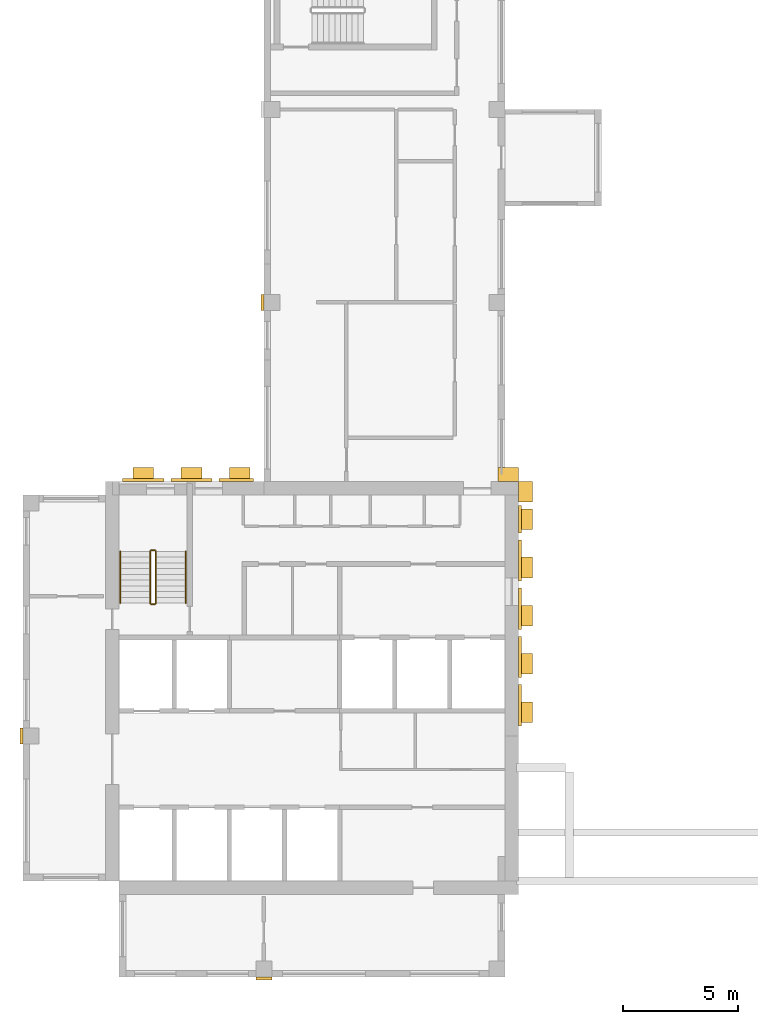
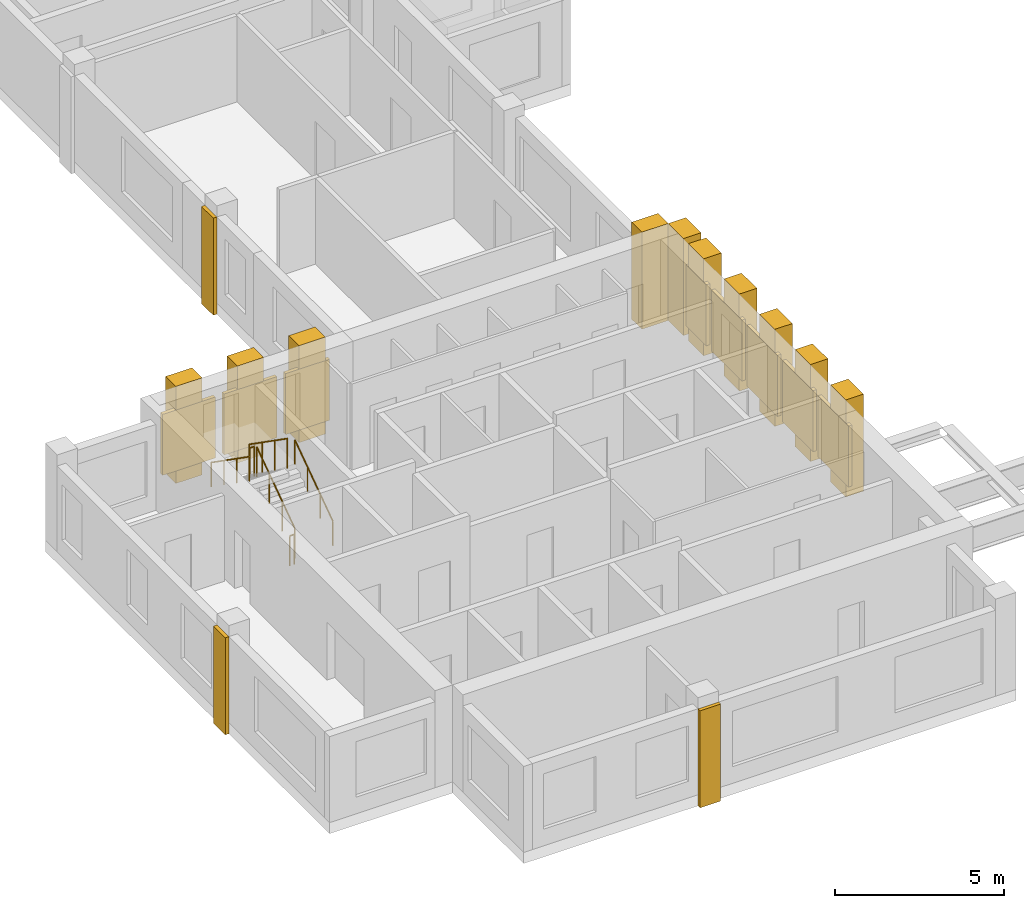
# One storey, part 6 of 8: 21 coverings, 6 railings.
"""IFC4 building model written with IfcOpenShell, lengths in metres."""

from ifc_helpers import new_model, si_unit, direction, frame, origin, origin_2d, place, context, subcontext, project, spatial, rectangle, circle, extrude, source, transform, mapped, material, type_object, element, save


model = new_model("IFC4")

# Units and contexts
model_context = context("Model", 3, precision=1e-05, world=origin(), true_north=direction((0.0, 1.0)))
body_context = subcontext(model_context, "Body", "Model", "MODEL_VIEW")
ifc_project = project(units=[si_unit("LENGTHUNIT", "METRE"), si_unit("AREAUNIT", "SQUARE_METRE"), si_unit("VOLUMEUNIT", "CUBIC_METRE"), si_unit("PLANEANGLEUNIT", "RADIAN"), si_unit("MASSUNIT", "GRAM", prefix="KILO")], contexts=[model_context])

# Site, building, storey
site_placement = place(None, origin())
site = spatial("IfcSite", under=ifc_project, at=site_placement, CompositionType="ELEMENT")
building_placement = place(site_placement, origin())
building = spatial("IfcBuilding", under=site, at=building_placement, Name="Aurelian Terraces", CompositionType="ELEMENT")
storey_placement = place(building_placement, frame((0.0, 0.0, 302.0)))
storey = spatial("IfcBuildingStorey", under=building, at=storey_placement, Name="L69", CompositionType="ELEMENT", Elevation=302.0)

# Coverings
ifc_material_1 = material(Name="Terracotta rainscreen cladding louvre blades", Category="masonry")
covering_type_1 = type_object("IfcCoveringType", Name="LOUVRE-TC", PredefinedType="CLADDING", material=ifc_material_1)
shared_shape_1 = source(origin(), body_context, "Body", "SweptSolid", [
    extrude(rectangle(XDim=0.12, YDim=1.8, at=origin_2d()), origin(), (0.0, 0.0, 1.0), 2.2),
])
for number, where, z_axis, x_axis, name in (
    (1, (21.66, 11.85, 0.45), (0.0, 0.0, 1.0), (1.0, 0.0, 0.0), "LOUVRE L69 core face E.1"),
    (2, (21.66, 13.95, 0.45), (0.0, 0.0, 1.0), (1.0, 0.0, 0.0), "LOUVRE L69 core face E.2"),
    (3, (21.66, 16.05, 0.45), (0.0, 0.0, 1.0), (1.0, 0.0, 0.0), "LOUVRE L69 core face E.3"),
    (4, (21.66, 18.15, 0.45), (0.0, 0.0, 1.0), (1.0, 0.0, 0.0), "LOUVRE L69 core face E.4"),
):
    element("IfcCovering", number, at=place(storey_placement, frame(where, z_axis=z_axis, x_axis=x_axis)), inside=storey, type_object=covering_type_1, Name=name, PredefinedType="CLADDING", context=body_context, shape_type="MappedRepresentation", body=[
        mapped(shared_shape_1, transform((0.0, 0.0, 0.0), scale=1.0)),
    ])
shared_shape_2 = source(origin(), body_context, "Body", "SweptSolid", [
    extrude(rectangle(XDim=1.8, YDim=0.12, at=origin_2d()), origin(), (0.0, 0.0, 1.0), 2.2),
])
for number, where, z_axis, x_axis, name in (
    (5, (5.25, 21.66, 0.45), (0.0, 0.0, 1.0), (1.0, 0.0, 0.0), "LOUVRE L69 core face N.1"),
    (6, (7.35, 21.66, 0.45), (0.0, 0.0, 1.0), (1.0, 0.0, 0.0), "LOUVRE L69 core face N.2"),
):
    element("IfcCovering", number, at=place(storey_placement, frame(where, z_axis=z_axis, x_axis=x_axis)), inside=storey, type_object=covering_type_1, Name=name, PredefinedType="CLADDING", context=body_context, shape_type="MappedRepresentation", body=[
        mapped(shared_shape_2, transform((0.0, 0.0, 0.0), scale=1.0)),
    ])
ifc_material_2 = material(Name="Terracotta rainscreen cladding relief", Category="masonry")
covering_type_2 = type_object("IfcCoveringType", Name="BAGUETTE-TC", PredefinedType="CLADDING", material=ifc_material_2)
shared_shape_3 = source(origin(), body_context, "Body", "SweptSolid", [
    extrude(rectangle(XDim=0.7, YDim=0.12, at=origin_2d()), origin(), (0.0, 0.0, 1.0), 3.5),
])
covering_1_placement = place(storey_placement, frame((10.5, -0.06, -0.4), z_axis=(0.0, 0.0, 1.0), x_axis=(1.0, 0.0, 0.0)))
element("IfcCovering", 7, at=covering_1_placement, inside=storey, type_object=covering_type_2, Name="BAGUETTE pier L69 1", PredefinedType="CLADDING", context=body_context, shape_type="MappedRepresentation", body=[
    mapped(shared_shape_3, transform((0.0, 0.0, 0.0), scale=1.0)),
])
shared_shape_4 = source(origin(), body_context, "Body", "SweptSolid", [
    extrude(rectangle(XDim=0.12, YDim=0.7, at=origin_2d()), origin(), (0.0, 0.0, 1.0), 3.5),
])
for number, where, z_axis, x_axis, name in (
    (8, (-0.06, 10.5, -0.4), (0.0, 0.0, 1.0), (1.0, 0.0, 0.0), "BAGUETTE pier L69 4"),
    (9, (10.44, 29.4, -0.4), (0.0, 0.0, 1.0), (1.0, 0.0, 0.0), "BAGUETTE pier L69 5"),
):
    element("IfcCovering", number, at=place(storey_placement, frame(where, z_axis=z_axis, x_axis=x_axis)), inside=storey, type_object=covering_type_2, Name=name, PredefinedType="CLADDING", context=body_context, shape_type="MappedRepresentation", body=[
        mapped(shared_shape_4, transform((0.0, 0.0, 0.0), scale=1.0)),
    ])
shared_shape_5 = source(origin(), body_context, "Body", "SweptSolid", [
    extrude(rectangle(XDim=0.12, YDim=1.2, at=origin_2d()), origin(), (0.0, 0.0, 1.0), 2.2),
])
covering_2_placement = place(storey_placement, frame((21.66, 19.95, 0.45), z_axis=(0.0, 0.0, 1.0), x_axis=(1.0, 0.0, 0.0)))
element("IfcCovering", 10, at=covering_2_placement, inside=storey, type_object=covering_type_1, Name="LOUVRE L69 core face E.5", PredefinedType="CLADDING", context=body_context, shape_type="MappedRepresentation", body=[
    mapped(shared_shape_5, transform((0.0, 0.0, 0.0), scale=1.0)),
])
shared_shape_6 = source(origin(), body_context, "Body", "SweptSolid", [
    extrude(rectangle(XDim=1.5, YDim=0.12, at=origin_2d()), origin(), (0.0, 0.0, 1.0), 2.2),
])
covering_3_placement = place(storey_placement, frame((9.3, 21.66, 0.45), z_axis=(0.0, 0.0, 1.0), x_axis=(1.0, 0.0, 0.0)))
element("IfcCovering", 11, at=covering_3_placement, inside=storey, type_object=covering_type_1, Name="LOUVRE L69 core face N.3", PredefinedType="CLADDING", context=body_context, shape_type="MappedRepresentation", body=[
    mapped(shared_shape_6, transform((0.0, 0.0, 0.0), scale=1.0)),
])

# Railings
ifc_material_3 = material(Name="Stainless steel", Category="steel")
railing_type_1 = type_object("IfcRailingType", Name="Stair guard 1100", PredefinedType="GUARDRAIL", material=ifc_material_3)
shared_shape_7 = source(origin(), body_context, "Body", "SweptSolid", [
    extrude(circle(Radius=0.024, at=origin_2d()), frame((0.0, 0.0, 1.076), z_axis=(-1.0, 0.0, 0.0), x_axis=(0.0, -1.0, 0.0)), (0.0, 0.0, 1.0), 0.15),
    extrude(circle(Radius=0.021, at=origin_2d()), origin(), (0.0, 0.0, 1.0), 1.052),
    extrude(circle(Radius=0.021, at=origin_2d()), frame((-0.15, 0.0, 0.0)), (0.0, 0.0, 1.0), 1.052),
])
for number, where, name in (
    (12, (5.75, 18.6, 1.75), "L69 S1 stair guard 2"),
    (13, (5.75, 16.25, 0.0), "L69 S1 stair guard 4"),
):
    element("IfcRailing", number, at=place(storey_placement, frame(where)), inside=storey, type_object=railing_type_1, Name=name, PredefinedType="GUARDRAIL", context=body_context, shape_type="MappedRepresentation", body=[
        mapped(shared_shape_7, transform((0.0, 0.0, 0.0), scale=1.0)),
    ])
shared_shape_8 = source(origin(), body_context, "Body", "SweptSolid", [
    extrude(circle(Radius=0.024, at=origin_2d()), frame((0.0, 0.0, 1.076), z_axis=(0.0, 0.819231920519, 0.573462344363), x_axis=(-1.0, 0.0, 0.0)), (0.0, 0.0, 1.0), 2.7465),
    extrude(circle(Radius=0.021, at=origin_2d()), origin(), (0.0, 0.0, 1.0), 1.052),
    extrude(circle(Radius=0.021, at=origin_2d()), frame((0.0, 0.75, 0.525)), (0.0, 0.0, 1.0), 1.052),
    extrude(circle(Radius=0.021, at=origin_2d()), frame((0.0, 1.5, 1.05)), (0.0, 0.0, 1.0), 1.052),
    extrude(circle(Radius=0.021, at=origin_2d()), frame((0.0, 2.25, 1.575)), (0.0, 0.0, 1.0), 1.052),
])
railing_1_placement = place(storey_placement, frame((5.8, 16.3, 0.175)))
element("IfcRailing", 14, at=railing_1_placement, inside=storey, type_object=railing_type_1, Name="L69 S1 stair guard 1", PredefinedType="GUARDRAIL", context=body_context, shape_type="MappedRepresentation", body=[
    mapped(shared_shape_8, transform((0.0, 0.0, 0.0), scale=1.0)),
])
shared_shape_9 = source(origin(), body_context, "Body", "SweptSolid", [
    extrude(circle(Radius=0.024, at=origin_2d()), frame((0.0, 0.0, 1.076), z_axis=(0.0, -0.819231920519, 0.573462344363), x_axis=(1.0, 0.0, 0.0)), (0.0, 0.0, 1.0), 2.7465),
    extrude(circle(Radius=0.021, at=origin_2d()), origin(), (0.0, 0.0, 1.0), 1.052),
    extrude(circle(Radius=0.021, at=origin_2d()), frame((0.0, -0.75, 0.525)), (0.0, 0.0, 1.0), 1.052),
    extrude(circle(Radius=0.021, at=origin_2d()), frame((0.0, -1.5, 1.05)), (0.0, 0.0, 1.0), 1.052),
    extrude(circle(Radius=0.021, at=origin_2d()), frame((0.0, -2.25, 1.575)), (0.0, 0.0, 1.0), 1.052),
])
railing_2_placement = place(storey_placement, frame((5.55, 18.55, 1.925)))
element("IfcRailing", 15, at=railing_2_placement, inside=storey, type_object=railing_type_1, Name="L69 S1 stair guard 3", PredefinedType="GUARDRAIL", context=body_context, shape_type="MappedRepresentation", body=[
    mapped(shared_shape_9, transform((0.0, 0.0, 0.0), scale=1.0)),
])
railing_type_2 = type_object("IfcRailingType", Name="Stair handrail", PredefinedType="HANDRAIL", material=ifc_material_3)
shared_shape_10 = source(origin(), body_context, "Body", "SweptSolid", [
    extrude(circle(Radius=0.024, at=origin_2d()), frame((0.0, 0.0, 0.876), z_axis=(0.0, 0.819231920519, 0.573462344363), x_axis=(-1.0, 0.0, 0.0)), (0.0, 0.0, 1.0), 2.7465),
    extrude(circle(Radius=0.021, at=origin_2d()), origin(), (0.0, 0.0, 1.0), 0.852),
    extrude(circle(Radius=0.021, at=origin_2d()), frame((0.0, 0.75, 0.525)), (0.0, 0.0, 1.0), 0.852),
    extrude(circle(Radius=0.021, at=origin_2d()), frame((0.0, 1.5, 1.05)), (0.0, 0.0, 1.0), 0.852),
    extrude(circle(Radius=0.021, at=origin_2d()), frame((0.0, 2.25, 1.575)), (0.0, 0.0, 1.0), 0.852),
])
railing_3_placement = place(storey_placement, frame((7.1, 16.3, 0.175)))
element("IfcRailing", 16, at=railing_3_placement, inside=storey, type_object=railing_type_2, Name="L69 S1 stair handrail 1", PredefinedType="HANDRAIL", context=body_context, shape_type="MappedRepresentation", body=[
    mapped(shared_shape_10, transform((0.0, 0.0, 0.0), scale=1.0)),
])
shared_shape_11 = source(origin(), body_context, "Body", "SweptSolid", [
    extrude(circle(Radius=0.024, at=origin_2d()), frame((0.0, 0.0, 0.876), z_axis=(0.0, -0.819231920519, 0.573462344363), x_axis=(1.0, 0.0, 0.0)), (0.0, 0.0, 1.0), 2.7465),
    extrude(circle(Radius=0.021, at=origin_2d()), origin(), (0.0, 0.0, 1.0), 0.852),
    extrude(circle(Radius=0.021, at=origin_2d()), frame((0.0, -0.75, 0.525)), (0.0, 0.0, 1.0), 0.852),
    extrude(circle(Radius=0.021, at=origin_2d()), frame((0.0, -1.5, 1.05)), (0.0, 0.0, 1.0), 0.852),
    extrude(circle(Radius=0.021, at=origin_2d()), frame((0.0, -2.25, 1.575)), (0.0, 0.0, 1.0), 0.852),
])
railing_4_placement = place(storey_placement, frame((4.25, 18.55, 1.925)))
element("IfcRailing", 17, at=railing_4_placement, inside=storey, type_object=railing_type_2, Name="L69 S1 stair handrail 2", PredefinedType="HANDRAIL", context=body_context, shape_type="MappedRepresentation", body=[
    mapped(shared_shape_11, transform((0.0, 0.0, 0.0), scale=1.0)),
])

# Coverings
covering_type_3 = type_object("IfcCoveringType", Name="Core spine pier 900x600", PredefinedType="CLADDING", material=ifc_material_2)
shared_shape_12 = source(origin(), body_context, "Body", "SweptSolid", [
    extrude(rectangle(XDim=0.6, YDim=0.9, at=origin_2d()), origin(), (0.0, 0.0, 1.0), 3.5),
])
for number, where, z_axis, x_axis, name in (
    (18, (21.9, 11.55, 0.0), (0.0, 0.0, 1.0), (1.0, 0.0, 0.0), "Spine pier L69 E1"),
    (19, (21.9, 13.65, 0.0), (0.0, 0.0, 1.0), (1.0, 0.0, 0.0), "Spine pier L69 E2"),
    (20, (21.9, 15.75, 0.0), (0.0, 0.0, 1.0), (1.0, 0.0, 0.0), "Spine pier L69 E3"),
    (21, (21.9, 17.85, 0.0), (0.0, 0.0, 1.0), (1.0, 0.0, 0.0), "Spine pier L69 E4"),
    (22, (21.9, 19.95, 0.0), (0.0, 0.0, 1.0), (1.0, 0.0, 0.0), "Spine pier L69 E5"),
    (23, (21.9, 21.15, 0.0), (0.0, 0.0, 1.0), (1.0, 0.0, 0.0), "Spine pier L69 corner east"),
):
    element("IfcCovering", number, at=place(storey_placement, frame(where, z_axis=z_axis, x_axis=x_axis)), inside=storey, type_object=covering_type_3, Name=name, PredefinedType="CLADDING", context=body_context, shape_type="MappedRepresentation", body=[
        mapped(shared_shape_12, transform((0.0, 0.0, 0.0), scale=1.0)),
    ])
shared_shape_13 = source(origin(), body_context, "Body", "SweptSolid", [
    extrude(rectangle(XDim=0.9, YDim=0.6, at=origin_2d()), origin(), (0.0, 0.0, 1.0), 3.5),
])
for number, where, z_axis, x_axis, name in (
    (24, (5.25, 21.9, 0.0), (0.0, 0.0, 1.0), (1.0, 0.0, 0.0), "Spine pier L69 N6"),
    (25, (7.35, 21.9, 0.0), (0.0, 0.0, 1.0), (1.0, 0.0, 0.0), "Spine pier L69 N7"),
    (26, (9.45, 21.9, 0.0), (0.0, 0.0, 1.0), (1.0, 0.0, 0.0), "Spine pier L69 N8"),
    (27, (21.15, 21.9, 0.0), (0.0, 0.0, 1.0), (1.0, 0.0, 0.0), "Spine pier L69 corner north"),
):
    element("IfcCovering", number, at=place(storey_placement, frame(where, z_axis=z_axis, x_axis=x_axis)), inside=storey, type_object=covering_type_3, Name=name, PredefinedType="CLADDING", context=body_context, shape_type="MappedRepresentation", body=[
        mapped(shared_shape_13, transform((0.0, 0.0, 0.0), scale=1.0)),
    ])

save(model, "model.ifc")
